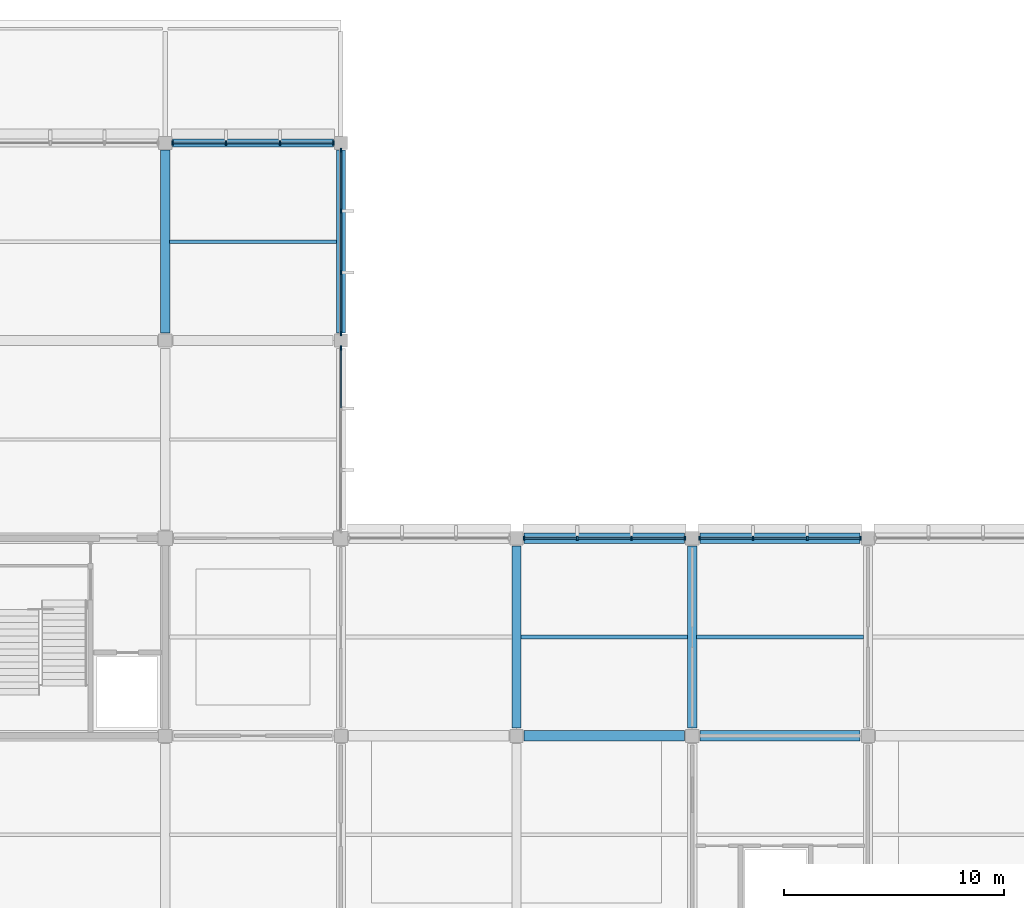
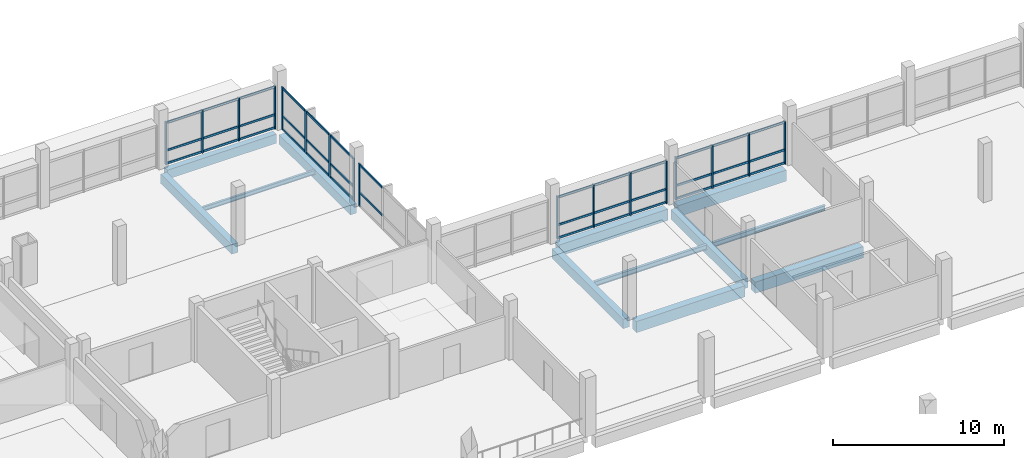
# One storey, part 28 of 57: 55 members, 12 beams, 5 elements without a shape of their own.
"""IFC4 building model written with IfcOpenShell, lengths in metres."""

from ifc_helpers import new_model, si_unit, direction, frame, origin, origin_2d, place, context, subcontext, project, spatial, rectangle, i_section, extrude, material, material_profile, profile_set, type_object, element, aggregate, save


model = new_model("IFC4")

# Units and contexts
model_context = context("Model", 3, precision=1e-05, world=origin(), true_north=direction((0.0, 1.0)))
body_context = subcontext(model_context, "Body", "Model", "MODEL_VIEW")
ifc_project = project(units=[si_unit("LENGTHUNIT", "METRE"), si_unit("AREAUNIT", "SQUARE_METRE"), si_unit("VOLUMEUNIT", "CUBIC_METRE"), si_unit("PLANEANGLEUNIT", "RADIAN"), si_unit("MASSUNIT", "GRAM", prefix="KILO"), si_unit("THERMODYNAMICTEMPERATUREUNIT", "KELVIN"), si_unit("POWERUNIT", "WATT")], contexts=[model_context])

# Site, building, storey
site_placement = place(None, origin())
site = spatial("IfcSite", under=ifc_project, at=site_placement, CompositionType="ELEMENT")
building_placement = place(site_placement, origin())
building = spatial("IfcBuilding", under=site, at=building_placement, Name="Kronsvod Quay Wholesale Market", CompositionType="ELEMENT")
storey_placement = place(building_placement, frame((0.0, 0.0, 4.800048828125)))
storey = spatial("IfcBuildingStorey", under=building, at=storey_placement, Name="L01", CompositionType="ELEMENT", Elevation=4.800048828125)

# Beams
ifc_material_1 = material(Name="Precast concrete C40/50", Category="concrete")
ifc_material_profile_1 = material_profile(ifc_material_1, rectangle(XDim=0.419921875, YDim=0.679931640625, at=origin_2d()), Name="PB-05")
ifc_profile_set_1 = profile_set([ifc_material_profile_1], Name="Precast concrete C40/50")
beam_type_1 = type_object("IfcBeamType", Name="Beam_PCB420x680", PredefinedType="BEAM", material=ifc_profile_set_1)
for number, where, z_axis, x_axis, name in (
    (1, (144.0, 117.35009765625, -0.64013671875), (0.0, 1.0, 0.0), (-1.0, 0.0, 0.0), "BMY-L01-1440-1170"),
    (2, (152.0, 117.35009765625, -0.64013671875), (0.0, 1.0, 0.0), (-1.0, 0.0, 0.0), "BMY-L01-1520-1170"),
):
    element("IfcBeam", number, at=place(storey_placement, frame(where, z_axis=z_axis, x_axis=x_axis)), inside=storey, type_object=beam_type_1, Name=name, PredefinedType="BEAM", context=body_context, shape_type="SweptSolid", body=[
        extrude(rectangle(XDim=0.419921875, YDim=0.679931640625, at=origin_2d()), origin(), (0.0, 0.0, 1.0), 8.324951171875),
    ])
for number, where, z_axis, x_axis, name in (
    (3, (160.0, 99.35009765625, -0.64013671875), (0.0, 1.0, 0.0), (-1.0, 0.0, 0.0), "BMY-L01-1600-990"),
    (4, (168.0, 99.35009765625, -0.64013671875), (0.0, 1.0, 0.0), (-1.0, 0.0, 0.0), "BMY-L01-1680-990"),
):
    element("IfcBeam", number, at=place(storey_placement, frame(where, z_axis=z_axis, x_axis=x_axis)), inside=storey, type_object=beam_type_1, Name=name, PredefinedType="BEAM", context=body_context, shape_type="SweptSolid", body=[
        extrude(rectangle(XDim=0.419921875, YDim=0.679931640625, at=origin_2d()), origin(), (0.0, 0.0, 1.0), 8.2998046875),
    ])
ifc_material_2 = material(Name="Precast concrete C40/50", Category="concrete")
ifc_material_profile_2 = material_profile(ifc_material_2, rectangle(XDim=0.47998046875, YDim=0.800048828125, at=origin_2d()), Name="PB-04")
ifc_profile_set_2 = profile_set([ifc_material_profile_2], Name="Precast concrete C40/50")
beam_type_2 = type_object("IfcBeamType", Name="Beam_PCB480x800", PredefinedType="BEAM", material=ifc_profile_set_2)
for number, where, z_axis, x_axis, name in (
    (5, (160.35009765625, 99.0, -0.699951171875), (1.0, 0.0, 0.0), (0.0, 1.0, 0.0), "BMX-L01-1600-990"),
    (6, (168.35009765625, 99.0, -0.699951171875), (1.0, 0.0, 0.0), (0.0, 1.0, 0.0), "BMX-L01-1680-990"),
    (7, (160.35009765625, 108.0, -0.699951171875), (1.0, 0.0, 0.0), (0.0, 1.0, 0.0), "BMX-L01-1600-1080"),
    (8, (168.35009765625, 108.0, -0.699951171875), (1.0, 0.0, 0.0), (0.0, 1.0, 0.0), "BMX-L01-1680-1080"),
):
    element("IfcBeam", number, at=place(storey_placement, frame(where, z_axis=z_axis, x_axis=x_axis)), inside=storey, type_object=beam_type_2, Name=name, PredefinedType="BEAM", context=body_context, shape_type="SweptSolid", body=[
        extrude(rectangle(XDim=0.47998046875, YDim=0.800048828125, at=origin_2d()), origin(), (0.0, 0.0, 1.0), 7.2998046875),
    ])
ifc_material_3 = material(Name="Steel S355", Category="steel")
ifc_material_profile_3 = material_profile(ifc_material_3, i_section(OverallWidth=0.14892578125, OverallDepth=0.298095703125, WebThickness=0.005615234375, FlangeThickness=0.008056640625, FilletRadius=0.012939453125, at=origin_2d()), Name="30B1")
ifc_profile_set_3 = profile_set([ifc_material_profile_3], Name="Steel S355")
beam_type_3 = type_object("IfcBeamType", Name="Joist_Steel30B1", PredefinedType="JOIST", material=ifc_profile_set_3)
beam_1_placement = place(storey_placement, frame((144.205078125, 121.5, -0.399169921875), z_axis=(1.0, 0.0, 0.0), x_axis=(0.0, 1.0, 0.0)))
element("IfcBeam", 9, at=beam_1_placement, inside=storey, type_object=beam_type_3, Name="JSTX-L01-1440-1170", PredefinedType="JOIST", context=body_context, shape_type="SweptSolid", body=[
    extrude(i_section(OverallWidth=0.14892578125, OverallDepth=0.298095703125, WebThickness=0.005615234375, FlangeThickness=0.008056640625, FilletRadius=0.012939453125, at=origin_2d()), origin(), (0.0, 0.0, 1.0), 7.58984375),
])
ifc_material_4 = material(Name="Steel S355", Category="steel")
ifc_material_profile_4 = material_profile(ifc_material_4, i_section(OverallWidth=0.175048828125, OverallDepth=0.35009765625, WebThickness=0.007080078125, FlangeThickness=0.010986328125, FilletRadius=0.013916015625, at=origin_2d()), Name="35B2")
ifc_profile_set_4 = profile_set([ifc_material_profile_4], Name="Steel S355")
beam_type_4 = type_object("IfcBeamType", Name="Joist_Steel35B2", PredefinedType="JOIST", material=ifc_profile_set_4)
for number, where, z_axis, x_axis, name in (
    (10, (160.205078125, 103.5, -0.425048828125), (1.0, 0.0, 0.0), (0.0, 1.0, 0.0), "JSTX-L01-1600-990"),
    (11, (168.205078125, 103.5, -0.425048828125), (1.0, 0.0, 0.0), (0.0, 1.0, 0.0), "JSTX-L01-1680-990"),
):
    element("IfcBeam", number, at=place(storey_placement, frame(where, z_axis=z_axis, x_axis=x_axis)), inside=storey, type_object=beam_type_4, Name=name, PredefinedType="JOIST", context=body_context, shape_type="SweptSolid", body=[
        extrude(i_section(OverallWidth=0.175048828125, OverallDepth=0.35009765625, WebThickness=0.007080078125, FlangeThickness=0.010986328125, FilletRadius=0.013916015625, at=origin_2d()), origin(), (0.0, 0.0, 1.0), 7.58984375),
    ])

# Curtain wall, members
ifc_material_5 = material(Name="Thermally broken aluminium and triple low-E glazing", Category="aluminium")
curtain_wall_type_1 = type_object("IfcCurtainWallType", Name="CW_Forecourt80x33", PredefinedType="NOTDEFINED", material=ifc_material_5)
curtain_wall_1_placement = place(storey_placement, origin())
curtain_wall_1 = element("IfcCurtainWall", 12, at=curtain_wall_1_placement, inside=storey, type_object=curtain_wall_type_1, Name="CWGX-L01-1600-1080", PredefinedType="NOTDEFINED")
ifc_material_6 = material(Name="Anodised aluminium", Category="aluminium")
ifc_material_profile_5 = material_profile(ifc_material_6, rectangle(XDim=0.074951171875, YDim=0.199951171875, at=origin_2d()), Name="ALUM75x200")
ifc_profile_set_5 = profile_set([ifc_material_profile_5], Name="Anodised aluminium")
member_type_1 = type_object("IfcMemberType", Name="Mullion_ALU75x200", PredefinedType="MULLION", material=ifc_profile_set_5)
member_1_placement = place(storey_placement, frame((167.66748046875, 108.0, 0.0), z_axis=(0.0, 0.0, 1.0), x_axis=(1.0, 0.0, 0.0)))
member_1 = element("IfcMember", 13, at=member_1_placement, type_object=member_type_1, Name="CWGX-L01-1600-1080-M1", PredefinedType="MULLION", context=body_context, shape_type="SweptSolid", body=[
    extrude(rectangle(XDim=0.074951171875, YDim=0.199951171875, at=origin_2d()), origin(), (0.0, 0.0, 1.0), 3.050048828125),
])
member_2_placement = place(storey_placement, frame((165.235107421875, 108.0, 0.0), z_axis=(0.0, 0.0, 1.0), x_axis=(1.0, 0.0, 0.0)))
member_2 = element("IfcMember", 14, at=member_2_placement, type_object=member_type_1, Name="CWGX-L01-1600-1080-M2", PredefinedType="MULLION", context=body_context, shape_type="SweptSolid", body=[
    extrude(rectangle(XDim=0.074951171875, YDim=0.199951171875, at=origin_2d()), origin(), (0.0, 0.0, 1.0), 3.050048828125),
])
member_3_placement = place(storey_placement, frame((162.764892578125, 108.0, 0.0), z_axis=(0.0, 0.0, 1.0), x_axis=(1.0, 0.0, 0.0)))
member_3 = element("IfcMember", 15, at=member_3_placement, type_object=member_type_1, Name="CWGX-L01-1600-1080-M3", PredefinedType="MULLION", context=body_context, shape_type="SweptSolid", body=[
    extrude(rectangle(XDim=0.074951171875, YDim=0.199951171875, at=origin_2d()), origin(), (0.0, 0.0, 1.0), 3.050048828125),
])
member_4_placement = place(storey_placement, frame((160.33251953125, 108.0, 0.0), z_axis=(0.0, 0.0, 1.0), x_axis=(1.0, 0.0, 0.0)))
member_4 = element("IfcMember", 16, at=member_4_placement, type_object=member_type_1, Name="CWGX-L01-1600-1080-M4", PredefinedType="MULLION", context=body_context, shape_type="SweptSolid", body=[
    extrude(rectangle(XDim=0.074951171875, YDim=0.199951171875, at=origin_2d()), origin(), (0.0, 0.0, 1.0), 3.050048828125),
])

curtain_wall_2_placement = place(storey_placement, origin())
curtain_wall_2 = element("IfcCurtainWall", 17, at=curtain_wall_2_placement, inside=storey, type_object=curtain_wall_type_1, Name="CWGX-L01-1680-1080", PredefinedType="NOTDEFINED")
member_5_placement = place(storey_placement, frame((175.66748046875, 108.0, 0.0), z_axis=(0.0, 0.0, 1.0), x_axis=(1.0, 0.0, 0.0)))
member_5 = element("IfcMember", 18, at=member_5_placement, type_object=member_type_1, Name="CWGX-L01-1680-1080-M1", PredefinedType="MULLION", context=body_context, shape_type="SweptSolid", body=[
    extrude(rectangle(XDim=0.074951171875, YDim=0.199951171875, at=origin_2d()), origin(), (0.0, 0.0, 1.0), 3.050048828125),
])
member_6_placement = place(storey_placement, frame((173.235107421875, 108.0, 0.0), z_axis=(0.0, 0.0, 1.0), x_axis=(1.0, 0.0, 0.0)))
member_6 = element("IfcMember", 19, at=member_6_placement, type_object=member_type_1, Name="CWGX-L01-1680-1080-M2", PredefinedType="MULLION", context=body_context, shape_type="SweptSolid", body=[
    extrude(rectangle(XDim=0.074951171875, YDim=0.199951171875, at=origin_2d()), origin(), (0.0, 0.0, 1.0), 3.050048828125),
])
member_7_placement = place(storey_placement, frame((170.764892578125, 108.0, 0.0), z_axis=(0.0, 0.0, 1.0), x_axis=(1.0, 0.0, 0.0)))
member_7 = element("IfcMember", 20, at=member_7_placement, type_object=member_type_1, Name="CWGX-L01-1680-1080-M3", PredefinedType="MULLION", context=body_context, shape_type="SweptSolid", body=[
    extrude(rectangle(XDim=0.074951171875, YDim=0.199951171875, at=origin_2d()), origin(), (0.0, 0.0, 1.0), 3.050048828125),
])
member_8_placement = place(storey_placement, frame((168.33251953125, 108.0, 0.0), z_axis=(0.0, 0.0, 1.0), x_axis=(1.0, 0.0, 0.0)))
member_8 = element("IfcMember", 21, at=member_8_placement, type_object=member_type_1, Name="CWGX-L01-1680-1080-M4", PredefinedType="MULLION", context=body_context, shape_type="SweptSolid", body=[
    extrude(rectangle(XDim=0.074951171875, YDim=0.199951171875, at=origin_2d()), origin(), (0.0, 0.0, 1.0), 3.050048828125),
])

ifc_material_7 = material(Name="Thermally broken aluminium and triple low-E glazing", Category="aluminium")
curtain_wall_type_2 = type_object("IfcCurtainWallType", Name="CW_Harbour80x33", PredefinedType="NOTDEFINED", material=ifc_material_7)
curtain_wall_3_placement = place(storey_placement, origin())
curtain_wall_3 = element("IfcCurtainWall", 22, at=curtain_wall_3_placement, inside=storey, type_object=curtain_wall_type_2, Name="CWGX-L01-1440-1260", PredefinedType="NOTDEFINED")
member_9_placement = place(storey_placement, frame((151.66748046875, 126.0, 0.0), z_axis=(0.0, 0.0, 1.0), x_axis=(1.0, 0.0, 0.0)))
member_9 = element("IfcMember", 23, at=member_9_placement, type_object=member_type_1, Name="CWGX-L01-1440-1260-M1", PredefinedType="MULLION", context=body_context, shape_type="SweptSolid", body=[
    extrude(rectangle(XDim=0.074951171875, YDim=0.199951171875, at=origin_2d()), origin(), (0.0, 0.0, 1.0), 3.050048828125),
])
member_10_placement = place(storey_placement, frame((149.235107421875, 126.0, 0.0), z_axis=(0.0, 0.0, 1.0), x_axis=(1.0, 0.0, 0.0)))
member_10 = element("IfcMember", 24, at=member_10_placement, type_object=member_type_1, Name="CWGX-L01-1440-1260-M2", PredefinedType="MULLION", context=body_context, shape_type="SweptSolid", body=[
    extrude(rectangle(XDim=0.074951171875, YDim=0.199951171875, at=origin_2d()), origin(), (0.0, 0.0, 1.0), 3.050048828125),
])
member_11_placement = place(storey_placement, frame((146.764892578125, 126.0, 0.0), z_axis=(0.0, 0.0, 1.0), x_axis=(1.0, 0.0, 0.0)))
member_11 = element("IfcMember", 25, at=member_11_placement, type_object=member_type_1, Name="CWGX-L01-1440-1260-M3", PredefinedType="MULLION", context=body_context, shape_type="SweptSolid", body=[
    extrude(rectangle(XDim=0.074951171875, YDim=0.199951171875, at=origin_2d()), origin(), (0.0, 0.0, 1.0), 3.050048828125),
])
member_12_placement = place(storey_placement, frame((144.33251953125, 126.0, 0.0), z_axis=(0.0, 0.0, 1.0), x_axis=(1.0, 0.0, 0.0)))
member_12 = element("IfcMember", 26, at=member_12_placement, type_object=member_type_1, Name="CWGX-L01-1440-1260-M4", PredefinedType="MULLION", context=body_context, shape_type="SweptSolid", body=[
    extrude(rectangle(XDim=0.074951171875, YDim=0.199951171875, at=origin_2d()), origin(), (0.0, 0.0, 1.0), 3.050048828125),
])

# Curtain wall, member
ifc_material_8 = material(Name="Thermally broken aluminium and triple low-E glazing", Category="aluminium")
curtain_wall_type_3 = type_object("IfcCurtainWallType", Name="CW_Wing90x33", PredefinedType="NOTDEFINED", material=ifc_material_8)
curtain_wall_4_placement = place(storey_placement, origin())
curtain_wall_4 = element("IfcCurtainWall", 27, at=curtain_wall_4_placement, inside=storey, type_object=curtain_wall_type_3, Name="CWGY-L01-1520-1080", PredefinedType="NOTDEFINED")
member_13_placement = place(storey_placement, frame((152.0, 116.66748046875, 0.0), z_axis=(0.0, 0.0, 1.0), x_axis=(1.0, 0.0, 0.0)))
member_13 = element("IfcMember", 28, at=member_13_placement, type_object=member_type_1, Name="CWGY-L01-1520-1080-M4", PredefinedType="MULLION", context=body_context, shape_type="SweptSolid", body=[
    extrude(rectangle(XDim=0.074951171875, YDim=0.199951171875, at=origin_2d()), origin(), (0.0, 0.0, 1.0), 3.050048828125),
])

# Curtain wall, members
curtain_wall_5_placement = place(storey_placement, origin())
curtain_wall_5 = element("IfcCurtainWall", 29, at=curtain_wall_5_placement, inside=storey, type_object=curtain_wall_type_3, Name="CWGY-L01-1520-1170", PredefinedType="NOTDEFINED")
member_14_placement = place(storey_placement, frame((152.0, 117.33251953125, 0.0), z_axis=(0.0, 0.0, 1.0), x_axis=(1.0, 0.0, 0.0)))
member_14 = element("IfcMember", 30, at=member_14_placement, type_object=member_type_1, Name="CWGY-L01-1520-1170-M1", PredefinedType="MULLION", context=body_context, shape_type="SweptSolid", body=[
    extrude(rectangle(XDim=0.074951171875, YDim=0.199951171875, at=origin_2d()), origin(), (0.0, 0.0, 1.0), 3.050048828125),
])
member_15_placement = place(storey_placement, frame((152.0, 120.098388671875, 0.0), z_axis=(0.0, 0.0, 1.0), x_axis=(1.0, 0.0, 0.0)))
member_15 = element("IfcMember", 31, at=member_15_placement, type_object=member_type_1, Name="CWGY-L01-1520-1170-M2", PredefinedType="MULLION", context=body_context, shape_type="SweptSolid", body=[
    extrude(rectangle(XDim=0.074951171875, YDim=0.199951171875, at=origin_2d()), origin(), (0.0, 0.0, 1.0), 3.050048828125),
])
member_16_placement = place(storey_placement, frame((152.0, 122.901611328125, 0.0), z_axis=(0.0, 0.0, 1.0), x_axis=(1.0, 0.0, 0.0)))
member_16 = element("IfcMember", 32, at=member_16_placement, type_object=member_type_1, Name="CWGY-L01-1520-1170-M3", PredefinedType="MULLION", context=body_context, shape_type="SweptSolid", body=[
    extrude(rectangle(XDim=0.074951171875, YDim=0.199951171875, at=origin_2d()), origin(), (0.0, 0.0, 1.0), 3.050048828125),
])
member_17_placement = place(storey_placement, frame((152.0, 125.66748046875, 0.0), z_axis=(0.0, 0.0, 1.0), x_axis=(1.0, 0.0, 0.0)))
member_17 = element("IfcMember", 33, at=member_17_placement, type_object=member_type_1, Name="CWGY-L01-1520-1170-M4", PredefinedType="MULLION", context=body_context, shape_type="SweptSolid", body=[
    extrude(rectangle(XDim=0.074951171875, YDim=0.199951171875, at=origin_2d()), origin(), (0.0, 0.0, 1.0), 3.050048828125),
])

# Beam
ifc_material_9 = material(Name="Precast concrete C40/50", Category="concrete")
ifc_material_profile_6 = material_profile(ifc_material_9, rectangle(XDim=0.3798828125, YDim=0.64990234375, at=origin_2d()), Name="SPB-03")
ifc_profile_set_6 = profile_set([ifc_material_profile_6], Name="Precast concrete C40/50")
beam_type_5 = type_object("IfcBeamType", Name="Spandrel_PCSP380x650", PredefinedType="SPANDREL", material=ifc_profile_set_6)
beam_2_placement = place(storey_placement, frame((144.324951171875, 126.0, -0.625), z_axis=(1.0, 0.0, 0.0), x_axis=(0.0, 1.0, 0.0)))
element("IfcBeam", 34, at=beam_2_placement, inside=storey, type_object=beam_type_5, Name="BMX-L01-1440-1260", PredefinedType="SPANDREL", context=body_context, shape_type="SweptSolid", body=[
    extrude(rectangle(XDim=0.3798828125, YDim=0.64990234375, at=origin_2d()), origin(), (0.0, 0.0, 1.0), 7.35009765625),
])

# Member
ifc_material_10 = material(Name="Anodised aluminium", Category="aluminium")
ifc_material_profile_7 = material_profile(ifc_material_10, rectangle(XDim=0.074951171875, YDim=0.14990234375, at=origin_2d()), Name="ALUT75x150")
ifc_profile_set_7 = profile_set([ifc_material_profile_7], Name="Anodised aluminium")
member_type_2 = type_object("IfcMemberType", Name="Transom_ALU75x150", PredefinedType="USERDEFINED", material=ifc_profile_set_7)
member_18_placement = place(storey_placement, frame((167.6298828125, 108.0, 0.074951171875), z_axis=(-1.0, 0.0, 0.0), x_axis=(0.0, -1.0, 0.0)))
member_18 = element("IfcMember", 35, at=member_18_placement, type_object=member_type_2, Name="CWGX-L01-1600-1080-T1B1", ObjectType="TRANSOM", PredefinedType="USERDEFINED", context=body_context, shape_type="SweptSolid", body=[
    extrude(rectangle(XDim=0.074951171875, YDim=0.14990234375, at=origin_2d()), origin(), (0.0, 0.0, 1.0), 2.357421875),
])

member_19_placement = place(storey_placement, frame((165.197509765625, 108.0, 0.074951171875), z_axis=(-1.0, 0.0, 0.0), x_axis=(0.0, -1.0, 0.0)))
member_19 = element("IfcMember", 36, at=member_19_placement, type_object=member_type_2, Name="CWGX-L01-1600-1080-T1B2", ObjectType="TRANSOM", PredefinedType="USERDEFINED", context=body_context, shape_type="SweptSolid", body=[
    extrude(rectangle(XDim=0.074951171875, YDim=0.14990234375, at=origin_2d()), origin(), (0.0, 0.0, 1.0), 2.39501953125),
])

member_20_placement = place(storey_placement, frame((162.7275390625, 108.0, 0.074951171875), z_axis=(-1.0, 0.0, 0.0), x_axis=(0.0, -1.0, 0.0)))
member_20 = element("IfcMember", 37, at=member_20_placement, type_object=member_type_2, Name="CWGX-L01-1600-1080-T1B3", ObjectType="TRANSOM", PredefinedType="USERDEFINED", context=body_context, shape_type="SweptSolid", body=[
    extrude(rectangle(XDim=0.074951171875, YDim=0.14990234375, at=origin_2d()), origin(), (0.0, 0.0, 1.0), 2.357421875),
])

member_21_placement = place(storey_placement, frame((167.6298828125, 108.0, 1.0), z_axis=(-1.0, 0.0, 0.0), x_axis=(0.0, -1.0, 0.0)))
member_21 = element("IfcMember", 38, at=member_21_placement, type_object=member_type_2, Name="CWGX-L01-1600-1080-T2B1", ObjectType="TRANSOM", PredefinedType="USERDEFINED", context=body_context, shape_type="SweptSolid", body=[
    extrude(rectangle(XDim=0.074951171875, YDim=0.14990234375, at=origin_2d()), origin(), (0.0, 0.0, 1.0), 2.357421875),
])

member_22_placement = place(storey_placement, frame((165.197509765625, 108.0, 1.0), z_axis=(-1.0, 0.0, 0.0), x_axis=(0.0, -1.0, 0.0)))
member_22 = element("IfcMember", 39, at=member_22_placement, type_object=member_type_2, Name="CWGX-L01-1600-1080-T2B2", ObjectType="TRANSOM", PredefinedType="USERDEFINED", context=body_context, shape_type="SweptSolid", body=[
    extrude(rectangle(XDim=0.074951171875, YDim=0.14990234375, at=origin_2d()), origin(), (0.0, 0.0, 1.0), 2.39501953125),
])

member_23_placement = place(storey_placement, frame((162.7275390625, 108.0, 1.0), z_axis=(-1.0, 0.0, 0.0), x_axis=(0.0, -1.0, 0.0)))
member_23 = element("IfcMember", 40, at=member_23_placement, type_object=member_type_2, Name="CWGX-L01-1600-1080-T2B3", ObjectType="TRANSOM", PredefinedType="USERDEFINED", context=body_context, shape_type="SweptSolid", body=[
    extrude(rectangle(XDim=0.074951171875, YDim=0.14990234375, at=origin_2d()), origin(), (0.0, 0.0, 1.0), 2.357421875),
])

member_24_placement = place(storey_placement, frame((167.6298828125, 108.0, 2.974853515625), z_axis=(-1.0, 0.0, 0.0), x_axis=(0.0, -1.0, 0.0)))
member_24 = element("IfcMember", 41, at=member_24_placement, type_object=member_type_2, Name="CWGX-L01-1600-1080-T3B1", ObjectType="TRANSOM", PredefinedType="USERDEFINED", context=body_context, shape_type="SweptSolid", body=[
    extrude(rectangle(XDim=0.074951171875, YDim=0.14990234375, at=origin_2d()), origin(), (0.0, 0.0, 1.0), 2.357421875),
])

member_25_placement = place(storey_placement, frame((165.197509765625, 108.0, 2.974853515625), z_axis=(-1.0, 0.0, 0.0), x_axis=(0.0, -1.0, 0.0)))
member_25 = element("IfcMember", 42, at=member_25_placement, type_object=member_type_2, Name="CWGX-L01-1600-1080-T3B2", ObjectType="TRANSOM", PredefinedType="USERDEFINED", context=body_context, shape_type="SweptSolid", body=[
    extrude(rectangle(XDim=0.074951171875, YDim=0.14990234375, at=origin_2d()), origin(), (0.0, 0.0, 1.0), 2.39501953125),
])

member_26_placement = place(storey_placement, frame((162.7275390625, 108.0, 2.974853515625), z_axis=(-1.0, 0.0, 0.0), x_axis=(0.0, -1.0, 0.0)))
member_26 = element("IfcMember", 43, at=member_26_placement, type_object=member_type_2, Name="CWGX-L01-1600-1080-T3B3", ObjectType="TRANSOM", PredefinedType="USERDEFINED", context=body_context, shape_type="SweptSolid", body=[
    extrude(rectangle(XDim=0.074951171875, YDim=0.14990234375, at=origin_2d()), origin(), (0.0, 0.0, 1.0), 2.357421875),
])

aggregate(curtain_wall_1, [member_1, member_2, member_3, member_4, member_18, member_19, member_20, member_21, member_22, member_23, member_24, member_25, member_26])

member_27_placement = place(storey_placement, frame((175.6298828125, 108.0, 0.074951171875), z_axis=(-1.0, 0.0, 0.0), x_axis=(0.0, -1.0, 0.0)))
member_27 = element("IfcMember", 44, at=member_27_placement, type_object=member_type_2, Name="CWGX-L01-1680-1080-T1B1", ObjectType="TRANSOM", PredefinedType="USERDEFINED", context=body_context, shape_type="SweptSolid", body=[
    extrude(rectangle(XDim=0.074951171875, YDim=0.14990234375, at=origin_2d()), origin(), (0.0, 0.0, 1.0), 2.357421875),
])

member_28_placement = place(storey_placement, frame((173.197509765625, 108.0, 0.074951171875), z_axis=(-1.0, 0.0, 0.0), x_axis=(0.0, -1.0, 0.0)))
member_28 = element("IfcMember", 45, at=member_28_placement, type_object=member_type_2, Name="CWGX-L01-1680-1080-T1B2", ObjectType="TRANSOM", PredefinedType="USERDEFINED", context=body_context, shape_type="SweptSolid", body=[
    extrude(rectangle(XDim=0.074951171875, YDim=0.14990234375, at=origin_2d()), origin(), (0.0, 0.0, 1.0), 2.39501953125),
])

member_29_placement = place(storey_placement, frame((170.7275390625, 108.0, 0.074951171875), z_axis=(-1.0, 0.0, 0.0), x_axis=(0.0, -1.0, 0.0)))
member_29 = element("IfcMember", 46, at=member_29_placement, type_object=member_type_2, Name="CWGX-L01-1680-1080-T1B3", ObjectType="TRANSOM", PredefinedType="USERDEFINED", context=body_context, shape_type="SweptSolid", body=[
    extrude(rectangle(XDim=0.074951171875, YDim=0.14990234375, at=origin_2d()), origin(), (0.0, 0.0, 1.0), 2.357421875),
])

member_30_placement = place(storey_placement, frame((175.6298828125, 108.0, 1.0), z_axis=(-1.0, 0.0, 0.0), x_axis=(0.0, -1.0, 0.0)))
member_30 = element("IfcMember", 47, at=member_30_placement, type_object=member_type_2, Name="CWGX-L01-1680-1080-T2B1", ObjectType="TRANSOM", PredefinedType="USERDEFINED", context=body_context, shape_type="SweptSolid", body=[
    extrude(rectangle(XDim=0.074951171875, YDim=0.14990234375, at=origin_2d()), origin(), (0.0, 0.0, 1.0), 2.357421875),
])

member_31_placement = place(storey_placement, frame((173.197509765625, 108.0, 1.0), z_axis=(-1.0, 0.0, 0.0), x_axis=(0.0, -1.0, 0.0)))
member_31 = element("IfcMember", 48, at=member_31_placement, type_object=member_type_2, Name="CWGX-L01-1680-1080-T2B2", ObjectType="TRANSOM", PredefinedType="USERDEFINED", context=body_context, shape_type="SweptSolid", body=[
    extrude(rectangle(XDim=0.074951171875, YDim=0.14990234375, at=origin_2d()), origin(), (0.0, 0.0, 1.0), 2.39501953125),
])

member_32_placement = place(storey_placement, frame((170.7275390625, 108.0, 1.0), z_axis=(-1.0, 0.0, 0.0), x_axis=(0.0, -1.0, 0.0)))
member_32 = element("IfcMember", 49, at=member_32_placement, type_object=member_type_2, Name="CWGX-L01-1680-1080-T2B3", ObjectType="TRANSOM", PredefinedType="USERDEFINED", context=body_context, shape_type="SweptSolid", body=[
    extrude(rectangle(XDim=0.074951171875, YDim=0.14990234375, at=origin_2d()), origin(), (0.0, 0.0, 1.0), 2.357421875),
])

member_33_placement = place(storey_placement, frame((175.6298828125, 108.0, 2.974853515625), z_axis=(-1.0, 0.0, 0.0), x_axis=(0.0, -1.0, 0.0)))
member_33 = element("IfcMember", 50, at=member_33_placement, type_object=member_type_2, Name="CWGX-L01-1680-1080-T3B1", ObjectType="TRANSOM", PredefinedType="USERDEFINED", context=body_context, shape_type="SweptSolid", body=[
    extrude(rectangle(XDim=0.074951171875, YDim=0.14990234375, at=origin_2d()), origin(), (0.0, 0.0, 1.0), 2.357421875),
])

member_34_placement = place(storey_placement, frame((173.197509765625, 108.0, 2.974853515625), z_axis=(-1.0, 0.0, 0.0), x_axis=(0.0, -1.0, 0.0)))
member_34 = element("IfcMember", 51, at=member_34_placement, type_object=member_type_2, Name="CWGX-L01-1680-1080-T3B2", ObjectType="TRANSOM", PredefinedType="USERDEFINED", context=body_context, shape_type="SweptSolid", body=[
    extrude(rectangle(XDim=0.074951171875, YDim=0.14990234375, at=origin_2d()), origin(), (0.0, 0.0, 1.0), 2.39501953125),
])

member_35_placement = place(storey_placement, frame((170.7275390625, 108.0, 2.974853515625), z_axis=(-1.0, 0.0, 0.0), x_axis=(0.0, -1.0, 0.0)))
member_35 = element("IfcMember", 52, at=member_35_placement, type_object=member_type_2, Name="CWGX-L01-1680-1080-T3B3", ObjectType="TRANSOM", PredefinedType="USERDEFINED", context=body_context, shape_type="SweptSolid", body=[
    extrude(rectangle(XDim=0.074951171875, YDim=0.14990234375, at=origin_2d()), origin(), (0.0, 0.0, 1.0), 2.357421875),
])

aggregate(curtain_wall_2, [member_5, member_6, member_7, member_8, member_27, member_28, member_29, member_30, member_31, member_32, member_33, member_34, member_35])

member_36_placement = place(storey_placement, frame((151.6298828125, 126.0, 0.074951171875), z_axis=(-1.0, 0.0, 0.0), x_axis=(0.0, -1.0, 0.0)))
member_36 = element("IfcMember", 53, at=member_36_placement, type_object=member_type_2, Name="CWGX-L01-1440-1260-T1B1", ObjectType="TRANSOM", PredefinedType="USERDEFINED", context=body_context, shape_type="SweptSolid", body=[
    extrude(rectangle(XDim=0.074951171875, YDim=0.14990234375, at=origin_2d()), origin(), (0.0, 0.0, 1.0), 2.357421875),
])

member_37_placement = place(storey_placement, frame((149.197509765625, 126.0, 0.074951171875), z_axis=(-1.0, 0.0, 0.0), x_axis=(0.0, -1.0, 0.0)))
member_37 = element("IfcMember", 54, at=member_37_placement, type_object=member_type_2, Name="CWGX-L01-1440-1260-T1B2", ObjectType="TRANSOM", PredefinedType="USERDEFINED", context=body_context, shape_type="SweptSolid", body=[
    extrude(rectangle(XDim=0.074951171875, YDim=0.14990234375, at=origin_2d()), origin(), (0.0, 0.0, 1.0), 2.39501953125),
])

member_38_placement = place(storey_placement, frame((146.7275390625, 126.0, 0.074951171875), z_axis=(-1.0, 0.0, 0.0), x_axis=(0.0, -1.0, 0.0)))
member_38 = element("IfcMember", 55, at=member_38_placement, type_object=member_type_2, Name="CWGX-L01-1440-1260-T1B3", ObjectType="TRANSOM", PredefinedType="USERDEFINED", context=body_context, shape_type="SweptSolid", body=[
    extrude(rectangle(XDim=0.074951171875, YDim=0.14990234375, at=origin_2d()), origin(), (0.0, 0.0, 1.0), 2.357421875),
])

member_39_placement = place(storey_placement, frame((151.6298828125, 126.0, 1.0), z_axis=(-1.0, 0.0, 0.0), x_axis=(0.0, -1.0, 0.0)))
member_39 = element("IfcMember", 56, at=member_39_placement, type_object=member_type_2, Name="CWGX-L01-1440-1260-T2B1", ObjectType="TRANSOM", PredefinedType="USERDEFINED", context=body_context, shape_type="SweptSolid", body=[
    extrude(rectangle(XDim=0.074951171875, YDim=0.14990234375, at=origin_2d()), origin(), (0.0, 0.0, 1.0), 2.357421875),
])

member_40_placement = place(storey_placement, frame((149.197509765625, 126.0, 1.0), z_axis=(-1.0, 0.0, 0.0), x_axis=(0.0, -1.0, 0.0)))
member_40 = element("IfcMember", 57, at=member_40_placement, type_object=member_type_2, Name="CWGX-L01-1440-1260-T2B2", ObjectType="TRANSOM", PredefinedType="USERDEFINED", context=body_context, shape_type="SweptSolid", body=[
    extrude(rectangle(XDim=0.074951171875, YDim=0.14990234375, at=origin_2d()), origin(), (0.0, 0.0, 1.0), 2.39501953125),
])

member_41_placement = place(storey_placement, frame((146.7275390625, 126.0, 1.0), z_axis=(-1.0, 0.0, 0.0), x_axis=(0.0, -1.0, 0.0)))
member_41 = element("IfcMember", 58, at=member_41_placement, type_object=member_type_2, Name="CWGX-L01-1440-1260-T2B3", ObjectType="TRANSOM", PredefinedType="USERDEFINED", context=body_context, shape_type="SweptSolid", body=[
    extrude(rectangle(XDim=0.074951171875, YDim=0.14990234375, at=origin_2d()), origin(), (0.0, 0.0, 1.0), 2.357421875),
])

member_42_placement = place(storey_placement, frame((151.6298828125, 126.0, 2.974853515625), z_axis=(-1.0, 0.0, 0.0), x_axis=(0.0, -1.0, 0.0)))
member_42 = element("IfcMember", 59, at=member_42_placement, type_object=member_type_2, Name="CWGX-L01-1440-1260-T3B1", ObjectType="TRANSOM", PredefinedType="USERDEFINED", context=body_context, shape_type="SweptSolid", body=[
    extrude(rectangle(XDim=0.074951171875, YDim=0.14990234375, at=origin_2d()), origin(), (0.0, 0.0, 1.0), 2.357421875),
])

member_43_placement = place(storey_placement, frame((149.197509765625, 126.0, 2.974853515625), z_axis=(-1.0, 0.0, 0.0), x_axis=(0.0, -1.0, 0.0)))
member_43 = element("IfcMember", 60, at=member_43_placement, type_object=member_type_2, Name="CWGX-L01-1440-1260-T3B2", ObjectType="TRANSOM", PredefinedType="USERDEFINED", context=body_context, shape_type="SweptSolid", body=[
    extrude(rectangle(XDim=0.074951171875, YDim=0.14990234375, at=origin_2d()), origin(), (0.0, 0.0, 1.0), 2.39501953125),
])

member_44_placement = place(storey_placement, frame((146.7275390625, 126.0, 2.974853515625), z_axis=(-1.0, 0.0, 0.0), x_axis=(0.0, -1.0, 0.0)))
member_44 = element("IfcMember", 61, at=member_44_placement, type_object=member_type_2, Name="CWGX-L01-1440-1260-T3B3", ObjectType="TRANSOM", PredefinedType="USERDEFINED", context=body_context, shape_type="SweptSolid", body=[
    extrude(rectangle(XDim=0.074951171875, YDim=0.14990234375, at=origin_2d()), origin(), (0.0, 0.0, 1.0), 2.357421875),
])

aggregate(curtain_wall_3, [member_9, member_10, member_11, member_12, member_36, member_37, member_38, member_39, member_40, member_41, member_42, member_43, member_44])

member_45_placement = place(storey_placement, frame((152.0, 113.947509765625, 1.0), z_axis=(0.0, 1.0, 0.0), x_axis=(-1.0, 0.0, 0.0)))
member_45 = element("IfcMember", 62, at=member_45_placement, type_object=member_type_2, Name="CWGY-L01-1520-1080-T2B3", ObjectType="TRANSOM", PredefinedType="USERDEFINED", context=body_context, shape_type="SweptSolid", body=[
    extrude(rectangle(XDim=0.074951171875, YDim=0.14990234375, at=origin_2d()), origin(), (0.0, 0.0, 1.0), 2.682373046875),
])

member_46_placement = place(storey_placement, frame((152.0, 113.947509765625, 2.974853515625), z_axis=(0.0, 1.0, 0.0), x_axis=(-1.0, 0.0, 0.0)))
member_46 = element("IfcMember", 63, at=member_46_placement, type_object=member_type_2, Name="CWGY-L01-1520-1080-T3B3", ObjectType="TRANSOM", PredefinedType="USERDEFINED", context=body_context, shape_type="SweptSolid", body=[
    extrude(rectangle(XDim=0.074951171875, YDim=0.14990234375, at=origin_2d()), origin(), (0.0, 0.0, 1.0), 2.682373046875),
])

aggregate(curtain_wall_4, [member_13, member_45, member_46])

member_47_placement = place(storey_placement, frame((152.0, 117.3701171875, 0.074951171875), z_axis=(0.0, 1.0, 0.0), x_axis=(-1.0, 0.0, 0.0)))
member_47 = element("IfcMember", 64, at=member_47_placement, type_object=member_type_2, Name="CWGY-L01-1520-1170-T1B1", ObjectType="TRANSOM", PredefinedType="USERDEFINED", context=body_context, shape_type="SweptSolid", body=[
    extrude(rectangle(XDim=0.074951171875, YDim=0.14990234375, at=origin_2d()), origin(), (0.0, 0.0, 1.0), 2.690673828125),
])

member_48_placement = place(storey_placement, frame((152.0, 120.1357421875, 0.074951171875), z_axis=(0.0, 1.0, 0.0), x_axis=(-1.0, 0.0, 0.0)))
member_48 = element("IfcMember", 65, at=member_48_placement, type_object=member_type_2, Name="CWGY-L01-1520-1170-T1B2", ObjectType="TRANSOM", PredefinedType="USERDEFINED", context=body_context, shape_type="SweptSolid", body=[
    extrude(rectangle(XDim=0.074951171875, YDim=0.14990234375, at=origin_2d()), origin(), (0.0, 0.0, 1.0), 2.728515625),
])

member_49_placement = place(storey_placement, frame((152.0, 122.939208984375, 0.074951171875), z_axis=(0.0, 1.0, 0.0), x_axis=(-1.0, 0.0, 0.0)))
member_49 = element("IfcMember", 66, at=member_49_placement, type_object=member_type_2, Name="CWGY-L01-1520-1170-T1B3", ObjectType="TRANSOM", PredefinedType="USERDEFINED", context=body_context, shape_type="SweptSolid", body=[
    extrude(rectangle(XDim=0.074951171875, YDim=0.14990234375, at=origin_2d()), origin(), (0.0, 0.0, 1.0), 2.690673828125),
])

member_50_placement = place(storey_placement, frame((152.0, 117.3701171875, 1.0), z_axis=(0.0, 1.0, 0.0), x_axis=(-1.0, 0.0, 0.0)))
member_50 = element("IfcMember", 67, at=member_50_placement, type_object=member_type_2, Name="CWGY-L01-1520-1170-T2B1", ObjectType="TRANSOM", PredefinedType="USERDEFINED", context=body_context, shape_type="SweptSolid", body=[
    extrude(rectangle(XDim=0.074951171875, YDim=0.14990234375, at=origin_2d()), origin(), (0.0, 0.0, 1.0), 2.690673828125),
])

member_51_placement = place(storey_placement, frame((152.0, 120.1357421875, 1.0), z_axis=(0.0, 1.0, 0.0), x_axis=(-1.0, 0.0, 0.0)))
member_51 = element("IfcMember", 68, at=member_51_placement, type_object=member_type_2, Name="CWGY-L01-1520-1170-T2B2", ObjectType="TRANSOM", PredefinedType="USERDEFINED", context=body_context, shape_type="SweptSolid", body=[
    extrude(rectangle(XDim=0.074951171875, YDim=0.14990234375, at=origin_2d()), origin(), (0.0, 0.0, 1.0), 2.728515625),
])

member_52_placement = place(storey_placement, frame((152.0, 122.939208984375, 1.0), z_axis=(0.0, 1.0, 0.0), x_axis=(-1.0, 0.0, 0.0)))
member_52 = element("IfcMember", 69, at=member_52_placement, type_object=member_type_2, Name="CWGY-L01-1520-1170-T2B3", ObjectType="TRANSOM", PredefinedType="USERDEFINED", context=body_context, shape_type="SweptSolid", body=[
    extrude(rectangle(XDim=0.074951171875, YDim=0.14990234375, at=origin_2d()), origin(), (0.0, 0.0, 1.0), 2.690673828125),
])

member_53_placement = place(storey_placement, frame((152.0, 117.3701171875, 2.974853515625), z_axis=(0.0, 1.0, 0.0), x_axis=(-1.0, 0.0, 0.0)))
member_53 = element("IfcMember", 70, at=member_53_placement, type_object=member_type_2, Name="CWGY-L01-1520-1170-T3B1", ObjectType="TRANSOM", PredefinedType="USERDEFINED", context=body_context, shape_type="SweptSolid", body=[
    extrude(rectangle(XDim=0.074951171875, YDim=0.14990234375, at=origin_2d()), origin(), (0.0, 0.0, 1.0), 2.690673828125),
])

member_54_placement = place(storey_placement, frame((152.0, 120.1357421875, 2.974853515625), z_axis=(0.0, 1.0, 0.0), x_axis=(-1.0, 0.0, 0.0)))
member_54 = element("IfcMember", 71, at=member_54_placement, type_object=member_type_2, Name="CWGY-L01-1520-1170-T3B2", ObjectType="TRANSOM", PredefinedType="USERDEFINED", context=body_context, shape_type="SweptSolid", body=[
    extrude(rectangle(XDim=0.074951171875, YDim=0.14990234375, at=origin_2d()), origin(), (0.0, 0.0, 1.0), 2.728515625),
])

member_55_placement = place(storey_placement, frame((152.0, 122.939208984375, 2.974853515625), z_axis=(0.0, 1.0, 0.0), x_axis=(-1.0, 0.0, 0.0)))
member_55 = element("IfcMember", 72, at=member_55_placement, type_object=member_type_2, Name="CWGY-L01-1520-1170-T3B3", ObjectType="TRANSOM", PredefinedType="USERDEFINED", context=body_context, shape_type="SweptSolid", body=[
    extrude(rectangle(XDim=0.074951171875, YDim=0.14990234375, at=origin_2d()), origin(), (0.0, 0.0, 1.0), 2.690673828125),
])

aggregate(curtain_wall_5, [member_14, member_15, member_16, member_17, member_47, member_48, member_49, member_50, member_51, member_52, member_53, member_54, member_55])

save(model, "model.ifc")
